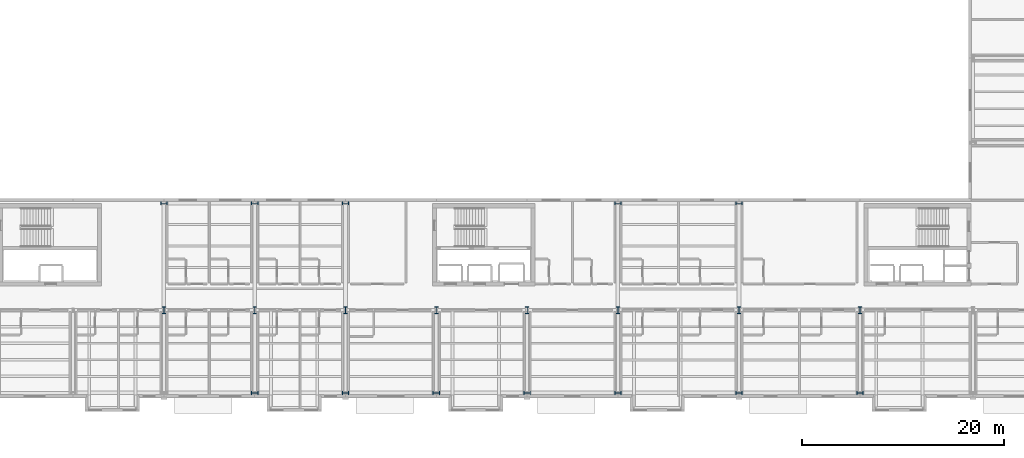
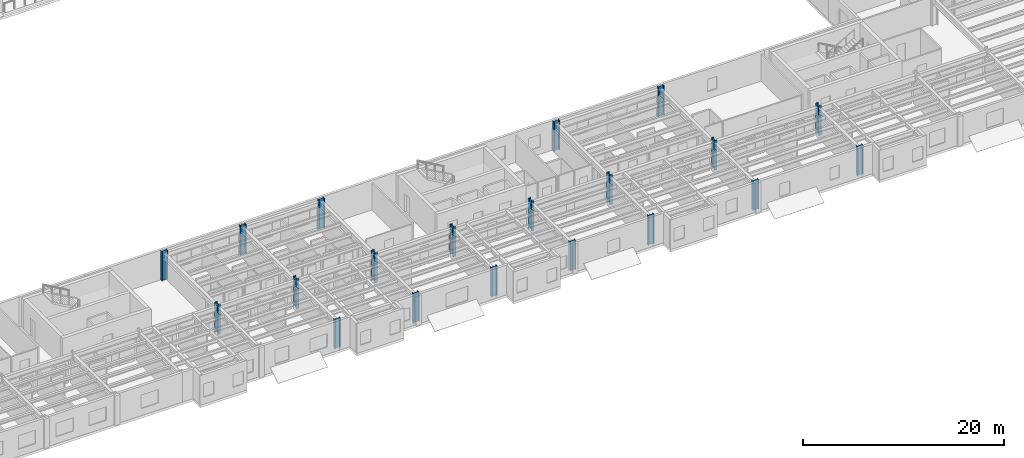
# One storey, part 2 of 34: 20 columns.
"""IFC4 building model written with IfcOpenShell, lengths in metres."""

from ifc_helpers import new_model, si_unit, direction, frame, origin, origin_2d, place, context, subcontext, project, spatial, i_section, extrude, material, material_profile, profile_set, type_object, element, save


model = new_model("IFC4")

# Units and contexts
model_context = context("Model", 3, precision=1e-05, world=origin(), true_north=direction((0.0, 1.0)))
body_context = subcontext(model_context, "Body", "Model", "MODEL_VIEW")
ifc_project = project(units=[si_unit("LENGTHUNIT", "METRE"), si_unit("AREAUNIT", "SQUARE_METRE"), si_unit("VOLUMEUNIT", "CUBIC_METRE"), si_unit("PLANEANGLEUNIT", "RADIAN"), si_unit("MASSUNIT", "GRAM", prefix="KILO")], contexts=[model_context])

# Site, building, storey
site_placement = place(None, origin())
site = spatial("IfcSite", under=ifc_project, at=site_placement, CompositionType="ELEMENT")
building_placement = place(site_placement, origin())
building = spatial("IfcBuilding", under=site, at=building_placement, Name="Sollismere Congress Hotel", CompositionType="ELEMENT")
storey_placement = place(building_placement, frame((0.0, 0.0, 23.39990234375)))
storey = spatial("IfcBuildingStorey", under=building, at=storey_placement, Name="L05", CompositionType="ELEMENT", Elevation=23.39990234375)

# Columns
ifc_material = material(Name="Steel ASTM A992 Grade 50", Category="steel")
ifc_material_profile = material_profile(ifc_material, i_section(OverallWidth=0.3330078125, OverallDepth=0.659912109375, WebThickness=0.0244140625, FlangeThickness=0.0439453125, at=origin_2d()), Name="W24X229")
ifc_profile_set = profile_set([ifc_material_profile], Name="Steel ASTM A992 Grade 50")
column_type = type_object("IfcColumnType", Name="COL-W24", PredefinedType="COLUMN", material=ifc_profile_set)
for number, where, z_axis, x_axis, name in (
    (1, (67.0, 8.199951171875, 0.0), (0.0, 0.0, 1.0), (1.0, 0.0, 0.0), "Column CL-L05-293"),
    (2, (67.0, 18.800048828125, 0.0), (0.0, 0.0, 1.0), (0.0, 1.0, 0.0), "Column CL-L05-304"),
    (3, (76.0, 0.0, 0.0), (0.0, 0.0, 1.0), (0.0, 1.0, 0.0), "Column CL-L05-346"),
    (4, (76.0, 8.199951171875, 0.0), (0.0, 0.0, 1.0), (1.0, 0.0, 0.0), "Column CL-L05-357"),
    (5, (76.0, 18.800048828125, 0.0), (0.0, 0.0, 1.0), (0.0, 1.0, 0.0), "Column CL-L05-368"),
    (6, (85.0, 0.0, 0.0), (0.0, 0.0, 1.0), (0.0, 1.0, 0.0), "Column CL-L05-399"),
    (7, (85.0, 8.199951171875, 0.0), (0.0, 0.0, 1.0), (1.0, 0.0, 0.0), "Column CL-L05-412"),
    (8, (85.0, 18.800048828125, 0.0), (0.0, 0.0, 1.0), (0.0, 1.0, 0.0), "Column CL-L05-425"),
    (9, (94.0, 0.0, 0.0), (0.0, 0.0, 1.0), (0.0, 1.0, 0.0), "Column CL-L05-458"),
    (10, (94.0, 8.199951171875, 0.0), (0.0, 0.0, 1.0), (1.0, 0.0, 0.0), "Column CL-L05-471"),
    (11, (103.0, 0.0, 0.0), (0.0, 0.0, 1.0), (0.0, 1.0, 0.0), "Column CL-L05-516"),
    (12, (103.0, 8.199951171875, 0.0), (0.0, 0.0, 1.0), (1.0, 0.0, 0.0), "Column CL-L05-529"),
    (13, (112.0, 0.0, 0.0), (0.0, 0.0, 1.0), (0.0, 1.0, 0.0), "Column CL-L05-574"),
    (14, (112.0, 8.199951171875, 0.0), (0.0, 0.0, 1.0), (1.0, 0.0, 0.0), "Column CL-L05-587"),
    (15, (112.0, 18.800048828125, 0.0), (0.0, 0.0, 1.0), (0.0, 1.0, 0.0), "Column CL-L05-600"),
    (16, (124.0, 0.0, 0.0), (0.0, 0.0, 1.0), (0.0, 1.0, 0.0), "Column CL-L05-652"),
    (17, (124.0, 8.199951171875, 0.0), (0.0, 0.0, 1.0), (1.0, 0.0, 0.0), "Column CL-L05-665"),
    (18, (124.0, 18.800048828125, 0.0), (0.0, 0.0, 1.0), (0.0, 1.0, 0.0), "Column CL-L05-678"),
    (19, (136.0, 0.0, 0.0), (0.0, 0.0, 1.0), (0.0, 1.0, 0.0), "Column CL-L05-733"),
    (20, (136.0, 8.199951171875, 0.0), (0.0, 0.0, 1.0), (1.0, 0.0, 0.0), "Column CL-L05-746"),
):
    element("IfcColumn", number, at=place(storey_placement, frame(where, z_axis=z_axis, x_axis=x_axis)), inside=storey, type_object=column_type, Name=name, PredefinedType="COLUMN", context=body_context, shape_type="SweptSolid", body=[
        extrude(i_section(OverallWidth=0.3330078125, OverallDepth=0.659912109375, WebThickness=0.0244140625, FlangeThickness=0.0439453125, at=origin_2d()), origin(), (0.0, 0.0, 1.0), 3.60009765625),
    ])

save(model, "model.ifc")
